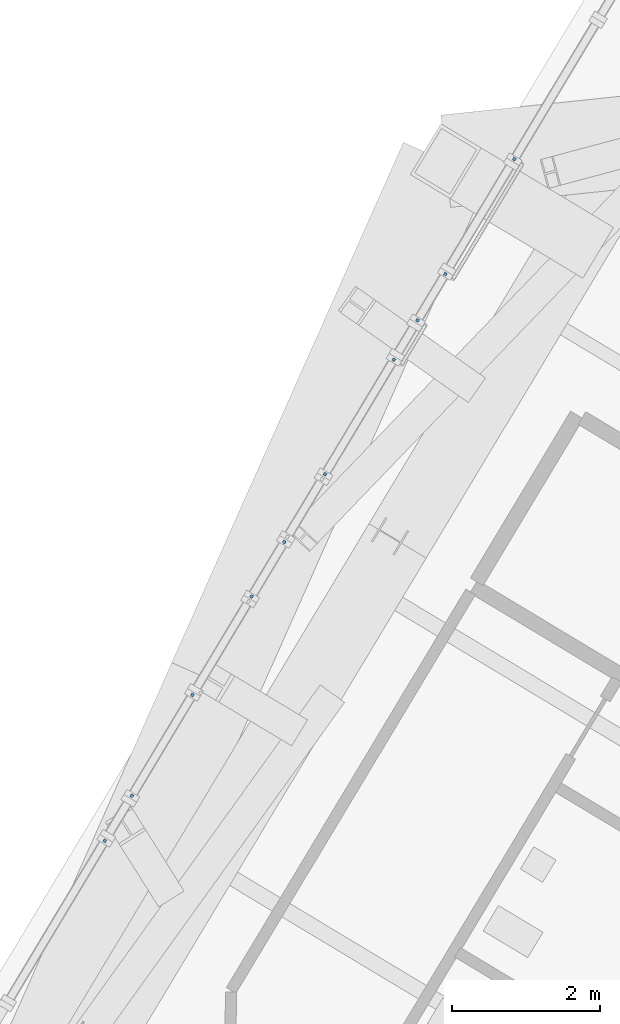
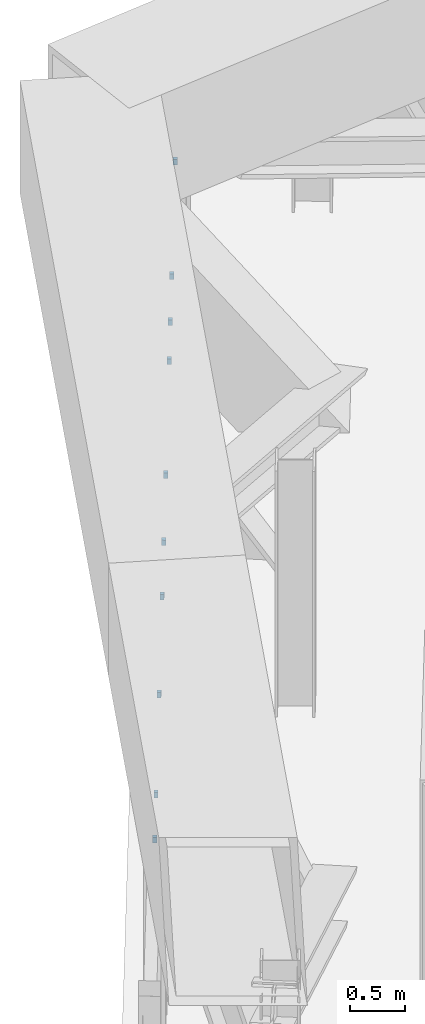
# One storey, part 25 of 28: 10 discrete accessories.
"""IFC4 building model written with IfcOpenShell, lengths in metres."""

from ifc_helpers import new_model, si_unit, direction, frame, origin, origin_2d, place, context, subcontext, project, spatial, rectangle, extrude, source, transform, mapped, material, element, save


model = new_model("IFC4")

# Units and contexts
model_context = context("Model", 3, precision=1e-05, world=origin(), true_north=direction((0.0, 1.0)))
body_context = subcontext(model_context, "Body", "Model", "MODEL_VIEW")
ifc_project = project(units=[si_unit("LENGTHUNIT", "METRE"), si_unit("AREAUNIT", "SQUARE_METRE"), si_unit("VOLUMEUNIT", "CUBIC_METRE"), si_unit("PLANEANGLEUNIT", "RADIAN"), si_unit("MASSUNIT", "GRAM", prefix="KILO")], contexts=[model_context])

# Site, building, storey
site_placement = place(None, origin())
site = spatial("IfcSite", under=ifc_project, at=site_placement, CompositionType="ELEMENT")
building_placement = place(site_placement, origin())
building = spatial("IfcBuilding", under=site, at=building_placement, Name="Triune Harvest Tower", CompositionType="ELEMENT")
storey_placement = place(building_placement, frame((0.0, 0.0, 215.89990234375)))
storey = spatial("IfcBuildingStorey", under=building, at=storey_placement, Name="L56", CompositionType="ELEMENT", Elevation=215.89990234375)

# Discrete accessories
ifc_material = material(Name="Steel ASTM A992 Gr 50", Category="steel")
shared_shape = source(origin(), body_context, "Body", "SweptSolid", [
    extrude(rectangle(XDim=0.0400390625, YDim=0.0400390625, at=origin_2d()), origin(), (0.0, 0.0, 1.0), 0.06005859375),
])
for number, where, z_axis, x_axis, name in (
    (1, (-6.868408203125, 28.716064453125, 2.330078125), (0.0, 0.0, 1.0), (-0.515035082829, -0.857169098519, 0.0), "Mullion end bracket B5-F3 L56.101 upper"),
    (2, (-7.79931640625, 27.16650390625, 2.330078125), (0.0, 0.0, 1.0), (-0.514969255449, -0.857208647846, 0.0), "Mullion end bracket B5-F3 L56.301 upper"),
    (3, (-8.174072265625, 26.54296875, 2.330078125), (0.0, 0.0, 1.0), (-0.514969255449, -0.857208647846, 0.0), "Mullion end bracket B5-F3 L56.301 upper"),
    (4, (-8.493408203125, 26.011474609375, 2.330078125), (0.0, 0.0, 1.0), (-0.515035082829, -0.857169098519, 0.0), "Mullion end bracket B5-F3 L56.501 upper"),
    (5, (-9.42041015625, 24.46826171875, 2.330078125), (0.0, 0.0, 1.0), (-0.515035082829, -0.857169098519, 0.0), "Mullion end bracket B5-F3 L56.501 upper"),
    (6, (-9.969482421875, 23.5546875, 2.330078125), (0.0, 0.0, 1.0), (-0.515029098647, -0.857172694121, 0.0), "Mullion end bracket B5-F3 L56.701 upper"),
    (7, (-10.4111328125, 22.819580078125, 2.330078125), (0.0, 0.0, 1.0), (-0.515029098647, -0.857172694121, 0.0), "Mullion end bracket B5-F3 L56.701 upper"),
    (8, (-11.208984375, 21.49169921875, 2.330078125), (0.0, 0.0, 1.0), (-0.515017130208, -0.8571798852, 0.0), "Mullion end bracket B5-F3 L56.901 upper"),
    (9, (-12.02587890625, 20.132080078125, 2.330078125), (0.0, 0.0, 1.0), (-0.515017130208, -0.8571798852, 0.0), "Mullion end bracket B5-F3 L56.901 upper"),
    (10, (-12.39111328125, 19.5244140625, 2.330078125), (0.0, 0.0, 1.0), (-0.515029098647, -0.857172694121, 0.0), "Mullion end bracket B5-F3 L56.1101 upper"),
):
    element("IfcDiscreteAccessory", number, at=place(storey_placement, frame(where, z_axis=z_axis, x_axis=x_axis)), inside=storey, material=ifc_material, Name=name, ObjectType="BRACKET", PredefinedType="USERDEFINED", context=body_context, shape_type="MappedRepresentation", body=[
        mapped(shared_shape, transform((0.0, 0.0, 0.0), scale=1.0)),
    ])

save(model, "model.ifc")
